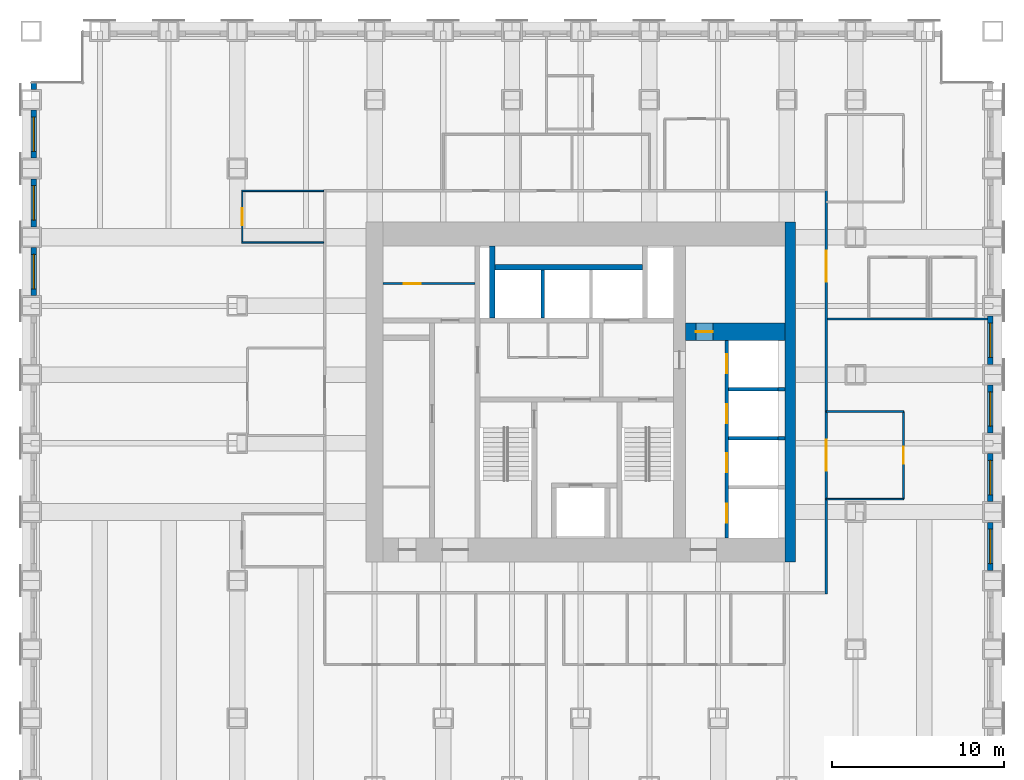
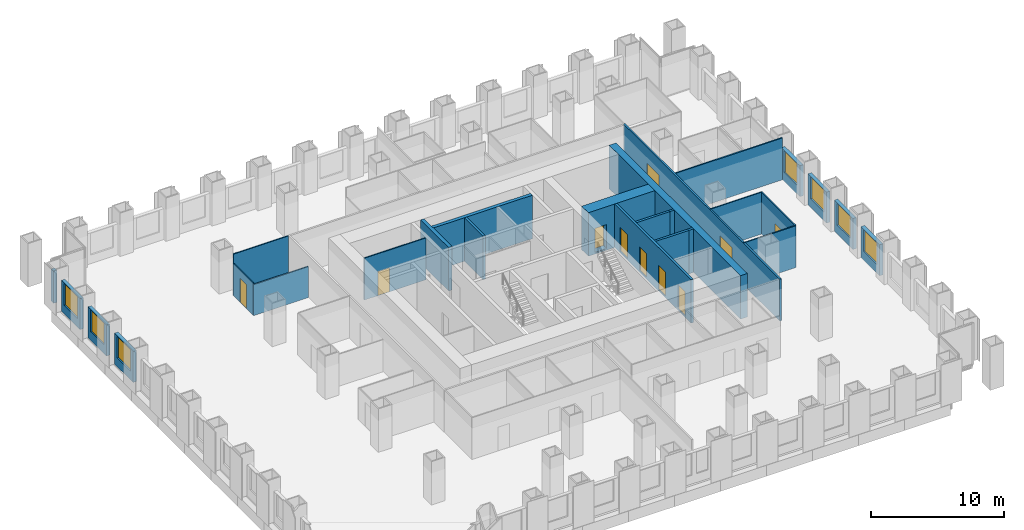
# One storey, part 10 of 14: 27 walls, 10 doors, 7 windows, 17 openings.
"""IFC4 building model written with IfcOpenShell, lengths in metres."""

import ifcopenshell
import ifcopenshell.guid

model = None  # the IFC model being written
_history = None  # IfcOwnerHistory: only IFC2X3 demands one
_inside = {}  # id of a spatial element -> (the spatial element, [elements in it])
_under = {}  # id of a project, library or spatial element -> (it, [spatial elements below it])
_declared = {}  # id of a project -> (the project, [libraries it declares])
_typed = {}  # id of a type object -> (the type object, [elements of that type])
_made_of = {}  # id of a material, layer set ... -> (it, [elements and type objects made of it])


def new_model(schema):
    """Start an empty IFC model of exactly this schema.

    Asked for "IFC4X3", IfcOpenShell would pick the latest addendum, in which some entities
    have other attributes; the version numbers below select the first issue.
    IFC2X3 requires an IfcOwnerHistory on every rooted entity: one is made here for all.
    """
    global model, _history
    if schema == "IFC4X3":
        model = ifcopenshell.file(schema_version=(4, 3, 0, 0))
    else:
        model = ifcopenshell.file(schema=schema)
    _inside.clear()
    _under.clear()
    _declared.clear()
    _typed.clear()
    _made_of.clear()
    _history = None
    if model.schema == "IFC2X3":
        org = make("IfcOrganization", Name="unknown")
        user = make(
            "IfcPersonAndOrganization",
            ThePerson=make("IfcPerson", FamilyName="unknown"),
            TheOrganization=org,
        )
        app = make(
            "IfcApplication",
            ApplicationDeveloper=org,
            Version="unknown",
            ApplicationFullName="unknown",
            ApplicationIdentifier="unknown",
        )
        _history = make(
            "IfcOwnerHistory",
            OwningUser=user,
            OwningApplication=app,
            ChangeAction="ADDED",
            CreationDate=0,
        )
    return model


def make(cls, **values):
    """One entity of the class cls with the attributes given. An attribute that is None is left unset."""
    return model.create_entity(
        cls, **{name: value for name, value in values.items() if value is not None}
    )


def rooted(cls, **values):
    """An entity with a GlobalId (a new one), such as an element, a storey or a relation."""
    return make(cls, GlobalId=ifcopenshell.guid.new(), OwnerHistory=_history, **values)


def si_unit(unit_type, name, prefix=None):
    """IfcSIUnit, for example si_unit("LENGTHUNIT", "METRE", prefix="MILLI")."""
    return make("IfcSIUnit", UnitType=unit_type, Prefix=prefix, Name=name)


def assignment(units):
    """IfcUnitAssignment: the units of a project."""
    return None if units is None else make("IfcUnitAssignment", Units=units)


def point(xyz):
    """IfcCartesianPoint."""
    return None if xyz is None else make("IfcCartesianPoint", Coordinates=xyz)


def direction(xyz):
    """IfcDirection."""
    return None if xyz is None else make("IfcDirection", DirectionRatios=xyz)


def frame(location, z_axis=None, x_axis=None):
    """IfcAxis2Placement3D, a coordinate frame: its origin and axes. An axis left out is left unset."""
    return make(
        "IfcAxis2Placement3D",
        Location=point(location),
        Axis=direction(z_axis),
        RefDirection=direction(x_axis),
    )


def frame_2d(location, x_axis=None):
    """IfcAxis2Placement2D, a coordinate frame in the plane: its origin and x axis."""
    return make(
        "IfcAxis2Placement2D", Location=point(location), RefDirection=direction(x_axis)
    )


def origin():
    """The frame at (0, 0, 0) with its axes left unset."""
    return frame((0.0, 0.0, 0.0))


def place(relative_to, where):
    """IfcLocalPlacement: puts the frame where relative to a parent placement (None: the world)."""
    return make(
        "IfcLocalPlacement", PlacementRelTo=relative_to, RelativePlacement=where
    )


def context(
    kind, dimensions, precision=None, world=None, true_north=None, identifier=None
):
    """IfcGeometricRepresentationContext, for example the 3D "Model" context."""
    return make(
        "IfcGeometricRepresentationContext",
        ContextIdentifier=identifier,
        ContextType=kind,
        CoordinateSpaceDimension=dimensions,
        Precision=precision,
        WorldCoordinateSystem=world,
        TrueNorth=true_north,
    )


def subcontext(parent, identifier, kind, view, scale=None):
    """IfcGeometricRepresentationSubContext, for example "Body" below "Model"."""
    return make(
        "IfcGeometricRepresentationSubContext",
        ContextIdentifier=identifier,
        ContextType=kind,
        ParentContext=parent,
        TargetScale=scale,
        TargetView=view,
    )


def project(units=None, contexts=None):
    """IfcProject with its units and contexts."""
    return rooted(
        "IfcProject",
        Name="project",
        RepresentationContexts=contexts,
        UnitsInContext=assignment(units),
    )


def spatial(cls, under=None, at=None, **own):
    """A site, building, storey or space (cls), placed at a placement, below another one or the project."""
    s = rooted(cls, ObjectPlacement=at, **own)
    if under is not None:
        _under.setdefault(under.id(), (under, []))[1].append(s)
    return s


def profile(cls, at=None, kind="AREA", **sizes):
    """A parametric profile (cls). Its sizes go by their IFC names, for example OverallWidth=200.0."""
    return make(cls, ProfileType=kind, Position=at, **sizes)


def rectangle(**sizes):
    """IfcRectangleProfileDef."""
    return profile("IfcRectangleProfileDef", **sizes)


def extrude(swept, where, along, depth):
    """IfcExtrudedAreaSolid: the profile swept, set in the frame where, extruded along a direction by depth."""
    return make(
        "IfcExtrudedAreaSolid",
        SweptArea=swept,
        Position=where,
        ExtrudedDirection=direction(along),
        Depth=depth,
    )


def shape(context_of_items, identifier, shape_type, items):
    """IfcShapeRepresentation: the items that make up one representation, for example the "Body"."""
    return make(
        "IfcShapeRepresentation",
        ContextOfItems=context_of_items,
        RepresentationIdentifier=identifier,
        RepresentationType=shape_type,
        Items=items,
    )


def material(Name=None, Category=None):
    """IfcMaterial."""
    return make("IfcMaterial", Name=Name, Category=Category)


def layer(
    of_material, thickness, ventilated=None, Name=None, Category=None, Priority=None
):
    """IfcMaterialLayer: one layer of a wall or slab, of a material (None: an air gap)."""
    return make(
        "IfcMaterialLayer",
        Material=of_material,
        LayerThickness=thickness,
        IsVentilated=ventilated,
        Name=Name,
        Category=Category,
        Priority=Priority,
    )


def layer_set(layers, Name=None):
    """IfcMaterialLayerSet."""
    return make("IfcMaterialLayerSet", MaterialLayers=layers, LayerSetName=Name)


def made_of(thing, what):
    """Note that an element or type object is made of a material, layer set ...; save() writes the relation."""
    if what is not None:
        _made_of.setdefault(what.id(), (what, []))[1].append(thing)
    return thing


def type_object(cls, material=None, **own):
    """A type object (cls), such as IfcWallType, which elements share."""
    return made_of(rooted(cls, **own), material)


def element(
    cls,
    number,
    at=None,
    inside=None,
    cuts=None,
    type_object=None,
    material=None,
    context=None,
    identifier="Body",
    shape_type=None,
    held_by="IfcProductDefinitionShape",
    body=None,
    shapes=None,
    **own,
):
    """One element of the class cls, such as IfcWall. Its Tag is "e" and its number.

    at: its placement. inside: the storey or other place that contains it. cuts: it is an
    opening in that element (IfcRelVoidsElement). A single representation is given by context,
    identifier, shape_type and body (its items); several are given by shapes. held_by: the class
    of the entity that holds the representations. save() writes the other relations.
    """
    e = rooted(cls, Tag="e%d" % number, ObjectPlacement=at, **own)
    if body is not None:
        shapes = [shape(context, identifier, shape_type, body)]
    if shapes is not None:
        e.Representation = make(held_by, Representations=shapes)
    if inside is not None:
        _inside.setdefault(inside.id(), (inside, []))[1].append(e)
    if cuts is not None:
        rooted(
            "IfcRelVoidsElement", RelatingBuildingElement=cuts, RelatedOpeningElement=e
        )
    if type_object is not None:
        _typed.setdefault(type_object.id(), (type_object, []))[1].append(e)
    return made_of(e, material)


def fill(opening, filler):
    """IfcRelFillsElement: the door or window that sits in an opening."""
    return rooted(
        "IfcRelFillsElement",
        RelatingOpeningElement=opening,
        RelatedBuildingElement=filler,
    )


def aggregate(whole, parts):
    """IfcRelAggregates: a whole, such as a stair, and the parts it consists of."""
    return rooted("IfcRelAggregates", RelatingObject=whole, RelatedObjects=parts)


def save(model, path):
    """Write the relations noted so far, then the file.

    IfcRelAggregates (storeys below a building ...), IfcRelContainedInSpatialStructure (elements
    in a storey), IfcRelDefinesByType, IfcRelAssociatesMaterial and IfcRelDeclares: one each for
    every whole, place, type object, material and project.
    """
    for whole, parts in _under.values():
        aggregate(whole, parts)
    for where, things in _inside.values():
        rooted(
            "IfcRelContainedInSpatialStructure",
            RelatedElements=things,
            RelatingStructure=where,
        )
    for kind, things in _typed.values():
        rooted("IfcRelDefinesByType", RelatedObjects=things, RelatingType=kind)
    for what, things in _made_of.values():
        rooted("IfcRelAssociatesMaterial", RelatedObjects=things, RelatingMaterial=what)
    for by, libraries in _declared.values():
        rooted("IfcRelDeclares", RelatingContext=by, RelatedDefinitions=libraries)
    model.write(path)


model = new_model("IFC4")

# Units and contexts
model_context = context("Model", 3, precision=1e-05, world=origin(), true_north=direction((0.0, 1.0)))
body_context = subcontext(model_context, "Body", "Model", "MODEL_VIEW")
ifc_project = project(units=[si_unit("LENGTHUNIT", "METRE"), si_unit("AREAUNIT", "SQUARE_METRE"), si_unit("VOLUMEUNIT", "CUBIC_METRE"), si_unit("PLANEANGLEUNIT", "RADIAN"), si_unit("MASSUNIT", "GRAM", prefix="KILO")], contexts=[model_context])

# Site, building, storey
site_placement = place(None, origin())
site = spatial("IfcSite", under=ifc_project, at=site_placement, CompositionType="ELEMENT")
building_placement = place(site_placement, origin())
building = spatial("IfcBuilding", under=site, at=building_placement, Name="Rimbunsela Tower", CompositionType="ELEMENT")
storey_placement = place(building_placement, frame((0.0, 0.0, 55.0)))
storey = spatial("IfcBuildingStorey", under=building, at=storey_placement, Name="L13", CompositionType="ELEMENT", Elevation=55.0)

# Walls
ifc_material_1 = material(Name="Concrete fc' 80 MPa", Category="concrete")
ifc_layer_1 = layer(ifc_material_1, 0.300048828125)
ifc_layer_set_1 = layer_set([ifc_layer_1], Name="Core internal wall 300")
wall_type_1 = type_object("IfcWallType", Name="Core internal wall 300", PredefinedType="SHEAR", material=ifc_layer_set_1)
wall_1_placement = place(storey_placement, frame((24.85009765625, 31.300048828125, -0.14990234375), z_axis=(0.0, 0.0, 1.0), x_axis=(0.0, 1.0, 0.0)))
element("IfcWall", 1, at=wall_1_placement, inside=storey, type_object=wall_type_1, Name="Riser wall", PredefinedType="SHEAR", context=body_context, shape_type="SweptSolid", body=[
    extrude(rectangle(XDim=4.199951171875, YDim=0.300048828125, at=frame_2d((2.10009765625, 0.0))), origin(), (0.0, 0.0, 1.0), 4.0),
])
wall_2_placement = place(storey_placement, frame((25.0, 34.25, -0.14990234375), z_axis=(0.0, 0.0, 1.0), x_axis=(1.0, 0.0, 0.0)))
element("IfcWall", 2, at=wall_2_placement, inside=storey, type_object=wall_type_1, Name="Lift shaft rear north", PredefinedType="SHEAR", context=body_context, shape_type="SweptSolid", body=[
    extrude(rectangle(XDim=8.60009765625, YDim=0.300048828125, at=frame_2d((4.300048828125, 0.0))), origin(), (0.0, 0.0, 1.0), 4.0),
])

# Wall, opening, door
ifc_material_2 = material(Name="Concrete blockwork", Category="masonry")
ifc_layer_2 = layer(ifc_material_2, 0.10009765625)
ifc_layer_set_2 = layer_set([ifc_layer_2], Name="Core room partition 100")
wall_type_2 = type_object("IfcWallType", Name="Core room partition 100", PredefinedType="PARTITIONING", material=ifc_layer_set_2)
wall_3_placement = place(storey_placement, frame((18.5, 33.300048828125, 0.0), z_axis=(0.0, 0.0, 1.0), x_axis=(1.0, 0.0, 0.0)))
wall_3 = element("IfcWall", 3, at=wall_3_placement, inside=storey, type_object=wall_type_2, Name="Equipment store wall", PredefinedType="PARTITIONING", context=body_context, shape_type="SweptSolid", body=[
    extrude(rectangle(XDim=5.35009765625, YDim=0.10009765625, at=frame_2d((2.675048828125, 0.0))), origin(), (0.0, 0.0, 1.0), 3.85009765625),
])
opening_1_placement = place(wall_3_placement, frame((1.199951171875, 0.0, 0.0)))
opening_1 = element("IfcOpeningElement", 4, at=opening_1_placement, cuts=wall_3, Name="Opening D19", PredefinedType="OPENING", context=body_context, shape_type="SweptSolid", body=[
    extrude(rectangle(XDim=1.0, YDim=2.199951171875, at=frame_2d((0.5, 1.10009765625))), frame((0.0, 0.06005859375, 0.0), z_axis=(0.0, -1.0, 0.0), x_axis=(1.0, 0.0, 0.0)), (0.0, 0.0, 1.0), 0.1201171875),
])
ifc_material_3 = material(Name="Steel door, fire rated", Category="steel")
door_type_1 = type_object("IfcDoorType", Name="Service door 1000 fire rated", OperationType="SINGLE_SWING_LEFT", PredefinedType="DOOR", material=ifc_material_3)
door_1_placement = place(opening_1_placement, origin())
door_1 = element("IfcDoor", 5, at=door_1_placement, inside=storey, type_object=door_type_1, Name="Equipment store door", OperationType="SINGLE_SWING_LEFT", OverallHeight=2.199951171875, OverallWidth=1.0, PredefinedType="DOOR", context=body_context, shape_type="SweptSolid", body=[
    extrude(rectangle(XDim=1.0, YDim=2.199951171875, at=frame_2d((0.5, 1.10009765625))), frame((0.0, 0.02490234375, 0.0), z_axis=(0.0, -1.0, 0.0), x_axis=(1.0, 0.0, 0.0)), (0.0, 0.0, 1.0), 0.050048828125),
])
fill(opening_1, door_1)

ifc_material_4 = material(Name="Concrete fc' 80 MPa", Category="concrete")
ifc_layer_3 = layer(ifc_material_4, 1.0)
ifc_layer_set_3 = layer_set([ifc_layer_3], Name="Core wall 1000")
wall_type_3 = type_object("IfcWallType", Name="Core wall 1000", PredefinedType="SHEAR", material=ifc_layer_set_3)
wall_4_placement = place(storey_placement, frame((36.10009765625, 30.5, -0.14990234375), z_axis=(0.0, 0.0, 1.0), x_axis=(1.0, 0.0, 0.0)))
wall_4 = element("IfcWall", 6, at=wall_4_placement, inside=storey, type_object=wall_type_3, Name="Lift shaft rear east", PredefinedType="SHEAR", context=body_context, shape_type="SweptSolid", body=[
    extrude(rectangle(XDim=5.7998046875, YDim=1.0, at=frame_2d((2.89990234375, 0.0))), origin(), (0.0, 0.0, 1.0), 4.0),
])
opening_2_placement = place(wall_4_placement, frame((0.60009765625, 0.0, 0.14990234375)))
opening_2 = element("IfcOpeningElement", 7, at=opening_2_placement, cuts=wall_4, Name="Opening D19", PredefinedType="OPENING", context=body_context, shape_type="SweptSolid", body=[
    extrude(rectangle(XDim=1.0, YDim=2.199951171875, at=frame_2d((0.5, 1.10009765625))), frame((0.0, 0.510009765625, 0.0), z_axis=(0.0, -1.0, 0.0), x_axis=(1.0, 0.0, 0.0)), (0.0, 0.0, 1.0), 1.02001953125),
])
door_2_placement = place(opening_2_placement, origin())
door_2 = element("IfcDoor", 8, at=door_2_placement, inside=storey, type_object=door_type_1, Name="Communications room door", OperationType="SINGLE_SWING_LEFT", OverallHeight=2.199951171875, OverallWidth=1.0, PredefinedType="DOOR", context=body_context, shape_type="SweptSolid", body=[
    extrude(rectangle(XDim=1.0, YDim=2.199951171875, at=frame_2d((0.5, 1.10009765625))), frame((0.0, 0.02490234375, 0.0), z_axis=(0.0, -1.0, 0.0), x_axis=(1.0, 0.0, 0.0)), (0.0, 0.0, 1.0), 0.050048828125),
])
fill(opening_2, door_2)

# Walls
ifc_material_5 = material(Name="Concrete fc' 80 MPa", Category="concrete")
ifc_layer_4 = layer(ifc_material_5, 0.60009765625)
ifc_layer_set_4 = layer_set([ifc_layer_4], Name="Core wall 600")
wall_type_4 = type_object("IfcWallType", Name="Core wall 600", PredefinedType="SHEAR", material=ifc_layer_set_4)
wall_5_placement = place(storey_placement, frame((42.199951171875, 17.10009765625, -0.14990234375), z_axis=(0.0, 0.0, 1.0), x_axis=(0.0, 1.0, 0.0)))
element("IfcWall", 9, at=wall_5_placement, inside=storey, type_object=wall_type_4, Name="Core wall east", PredefinedType="SHEAR", context=body_context, shape_type="SweptSolid", body=[
    extrude(rectangle(XDim=19.7998046875, YDim=0.60009765625, at=frame_2d((9.89990234375, 0.0))), origin(), (0.0, 0.0, 1.0), 4.0),
])
ifc_material_6 = material(Name="Concrete blockwork", Category="masonry")
ifc_layer_5 = layer(ifc_material_6, 0.199951171875)
ifc_layer_set_5 = layer_set([ifc_layer_5], Name="Lift shaft wall 200")
wall_type_5 = type_object("IfcWallType", Name="Lift shaft wall 200", PredefinedType="SOLIDWALL", material=ifc_layer_set_5)
wall_6_placement = place(storey_placement, frame((27.800048828125, 31.300048828125, -0.14990234375), z_axis=(0.0, 0.0, 1.0), x_axis=(0.0, 1.0, 0.0)))
element("IfcWall", 10, at=wall_6_placement, inside=storey, type_object=wall_type_5, Name="Lift shaft separation", PredefinedType="SOLIDWALL", context=body_context, shape_type="SweptSolid", body=[
    extrude(rectangle(XDim=2.800048828125, YDim=0.199951171875, at=frame_2d((1.39990234375, 0.0))), origin(), (0.0, 0.0, 1.0), 4.0),
])

# Wall, openings, doors
wall_7_placement = place(storey_placement, frame((38.5, 18.5, -0.14990234375), z_axis=(0.0, 0.0, 1.0), x_axis=(0.0, 1.0, 0.0)))
wall_7 = element("IfcWall", 11, at=wall_7_placement, inside=storey, type_object=wall_type_5, Name="Lift shaft front east", PredefinedType="SOLIDWALL", context=body_context, shape_type="SweptSolid", body=[
    extrude(rectangle(XDim=11.5, YDim=0.199951171875, at=frame_2d((5.75, 0.0))), origin(), (0.0, 0.0, 1.0), 4.0),
])
opening_3_placement = place(wall_7_placement, frame((0.875, 0.0, 0.14990234375)))
opening_3 = element("IfcOpeningElement", 12, at=opening_3_placement, cuts=wall_7, Name="Opening LD1", PredefinedType="OPENING", context=body_context, shape_type="SweptSolid", body=[
    extrude(rectangle(XDim=1.10009765625, YDim=2.199951171875, at=frame_2d((0.550048828125, 1.10009765625))), frame((0.0, 0.10986328125, 0.0), z_axis=(0.0, -1.0, 0.0), x_axis=(1.0, 0.0, 0.0)), (0.0, 0.0, 1.0), 0.219970703125),
])
opening_4_placement = place(wall_7_placement, frame((3.824951171875, 0.0, 0.14990234375)))
opening_4 = element("IfcOpeningElement", 13, at=opening_4_placement, cuts=wall_7, Name="Opening LD1", PredefinedType="OPENING", context=body_context, shape_type="SweptSolid", body=[
    extrude(rectangle(XDim=1.10009765625, YDim=2.199951171875, at=frame_2d((0.550048828125, 1.10009765625))), frame((0.0, 0.10986328125, 0.0), z_axis=(0.0, -1.0, 0.0), x_axis=(1.0, 0.0, 0.0)), (0.0, 0.0, 1.0), 0.219970703125),
])
opening_5_placement = place(wall_7_placement, frame((6.675048828125, 0.0, 0.14990234375)))
opening_5 = element("IfcOpeningElement", 14, at=opening_5_placement, cuts=wall_7, Name="Opening LD1", PredefinedType="OPENING", context=body_context, shape_type="SweptSolid", body=[
    extrude(rectangle(XDim=1.10009765625, YDim=2.199951171875, at=frame_2d((0.550048828125, 1.10009765625))), frame((0.0, 0.10986328125, 0.0), z_axis=(0.0, -1.0, 0.0), x_axis=(1.0, 0.0, 0.0)), (0.0, 0.0, 1.0), 0.219970703125),
])
opening_6_placement = place(wall_7_placement, frame((9.574951171875, 0.0, 0.14990234375)))
opening_6 = element("IfcOpeningElement", 15, at=opening_6_placement, cuts=wall_7, Name="Opening LD1", PredefinedType="OPENING", context=body_context, shape_type="SweptSolid", body=[
    extrude(rectangle(XDim=1.10009765625, YDim=2.199951171875, at=frame_2d((0.550048828125, 1.10009765625))), frame((0.0, 0.10986328125, 0.0), z_axis=(0.0, -1.0, 0.0), x_axis=(1.0, 0.0, 0.0)), (0.0, 0.0, 1.0), 0.219970703125),
])
ifc_material_7 = material(Name="Steel door, fire rated", Category="steel")
door_type_2 = type_object("IfcDoorType", Name="Lift landing door 1100", OperationType="DOUBLE_DOOR_SLIDING", PredefinedType="DOOR", material=ifc_material_7)
door_3_placement = place(opening_3_placement, origin())
door_3 = element("IfcDoor", 16, at=door_3_placement, inside=storey, type_object=door_type_2, Name="Lift landing door LL1", OperationType="DOUBLE_DOOR_SLIDING", OverallHeight=2.199951171875, OverallWidth=1.10009765625, PredefinedType="DOOR", context=body_context, shape_type="SweptSolid", body=[
    extrude(rectangle(XDim=1.10009765625, YDim=2.199951171875, at=frame_2d((0.550048828125, 1.10009765625))), frame((0.0, 0.02490234375, 0.0), z_axis=(0.0, -1.0, 0.0), x_axis=(1.0, 0.0, 0.0)), (0.0, 0.0, 1.0), 0.050048828125),
])
fill(opening_3, door_3)
door_4_placement = place(opening_4_placement, origin())
door_4 = element("IfcDoor", 17, at=door_4_placement, inside=storey, type_object=door_type_2, Name="Lift landing door LL2", OperationType="DOUBLE_DOOR_SLIDING", OverallHeight=2.199951171875, OverallWidth=1.10009765625, PredefinedType="DOOR", context=body_context, shape_type="SweptSolid", body=[
    extrude(rectangle(XDim=1.10009765625, YDim=2.199951171875, at=frame_2d((0.550048828125, 1.10009765625))), frame((0.0, 0.02490234375, 0.0), z_axis=(0.0, -1.0, 0.0), x_axis=(1.0, 0.0, 0.0)), (0.0, 0.0, 1.0), 0.050048828125),
])
fill(opening_4, door_4)
door_5_placement = place(opening_5_placement, origin())
door_5 = element("IfcDoor", 18, at=door_5_placement, inside=storey, type_object=door_type_2, Name="Lift landing door LL3", OperationType="DOUBLE_DOOR_SLIDING", OverallHeight=2.199951171875, OverallWidth=1.10009765625, PredefinedType="DOOR", context=body_context, shape_type="SweptSolid", body=[
    extrude(rectangle(XDim=1.10009765625, YDim=2.199951171875, at=frame_2d((0.550048828125, 1.10009765625))), frame((0.0, 0.02490234375, 0.0), z_axis=(0.0, -1.0, 0.0), x_axis=(1.0, 0.0, 0.0)), (0.0, 0.0, 1.0), 0.050048828125),
])
fill(opening_5, door_5)
door_6_placement = place(opening_6_placement, origin())
door_6 = element("IfcDoor", 19, at=door_6_placement, inside=storey, type_object=door_type_2, Name="Lift landing door LL4", OperationType="DOUBLE_DOOR_SLIDING", OverallHeight=2.199951171875, OverallWidth=1.10009765625, PredefinedType="DOOR", context=body_context, shape_type="SweptSolid", body=[
    extrude(rectangle(XDim=1.10009765625, YDim=2.199951171875, at=frame_2d((0.550048828125, 1.10009765625))), frame((0.0, 0.02490234375, 0.0), z_axis=(0.0, -1.0, 0.0), x_axis=(1.0, 0.0, 0.0)), (0.0, 0.0, 1.0), 0.050048828125),
])
fill(opening_6, door_6)

# Walls
wall_8_placement = place(storey_placement, frame((38.60009765625, 24.300048828125, -0.14990234375), z_axis=(0.0, 0.0, 1.0), x_axis=(1.0, 0.0, 0.0)))
element("IfcWall", 20, at=wall_8_placement, inside=storey, type_object=wall_type_5, Name="Lift shaft separation", PredefinedType="SOLIDWALL", context=body_context, shape_type="SweptSolid", body=[
    extrude(rectangle(XDim=2.89990234375, YDim=0.199951171875, at=frame_2d((1.449951171875, 0.0))), origin(), (0.0, 0.0, 1.0), 4.0),
])
wall_9_placement = place(storey_placement, frame((41.5, 24.300048828125, -0.14990234375), z_axis=(0.0, 0.0, 1.0), x_axis=(1.0, 0.0, 0.0)))
element("IfcWall", 21, at=wall_9_placement, inside=storey, type_object=wall_type_5, Name="Lift shaft separation", PredefinedType="SOLIDWALL", context=body_context, shape_type="SweptSolid", body=[
    extrude(rectangle(XDim=0.39990234375, YDim=0.199951171875, at=frame_2d((0.199951171875, 0.0))), origin(), (0.0, 0.0, 1.0), 4.0),
])
wall_10_placement = place(storey_placement, frame((38.60009765625, 27.14990234375, -0.14990234375), z_axis=(0.0, 0.0, 1.0), x_axis=(1.0, 0.0, 0.0)))
element("IfcWall", 22, at=wall_10_placement, inside=storey, type_object=wall_type_5, Name="Lift shaft separation", PredefinedType="SOLIDWALL", context=body_context, shape_type="SweptSolid", body=[
    extrude(rectangle(XDim=2.89990234375, YDim=0.199951171875, at=frame_2d((1.449951171875, 0.0))), origin(), (0.0, 0.0, 1.0), 4.0),
])
wall_11_placement = place(storey_placement, frame((41.5, 27.14990234375, -0.14990234375), z_axis=(0.0, 0.0, 1.0), x_axis=(1.0, 0.0, 0.0)))
element("IfcWall", 23, at=wall_11_placement, inside=storey, type_object=wall_type_5, Name="Lift shaft separation", PredefinedType="SOLIDWALL", context=body_context, shape_type="SweptSolid", body=[
    extrude(rectangle(XDim=0.39990234375, YDim=0.199951171875, at=frame_2d((0.199951171875, 0.0))), origin(), (0.0, 0.0, 1.0), 4.0),
])
ifc_material_8 = material(Name="Gypsum board on steel studs", Category="steel")
ifc_layer_6 = layer(ifc_material_8, 0.10009765625)
ifc_layer_set_6 = layer_set([ifc_layer_6], Name="Office partition 100")
wall_type_6 = type_object("IfcWallType", Name="Office partition 100", PredefinedType="PARTITIONING", material=ifc_layer_set_6)
wall_12_placement = place(storey_placement, frame((10.25, 35.699951171875, 0.0), z_axis=(0.0, 0.0, 1.0), x_axis=(1.0, 0.0, 0.0)))
element("IfcWall", 24, at=wall_12_placement, inside=storey, type_object=wall_type_6, Name="Office partition", PredefinedType="PARTITIONING", context=body_context, shape_type="SweptSolid", body=[
    extrude(rectangle(XDim=4.77490234375, YDim=0.10009765625, at=frame_2d((2.387451171875, 0.0))), origin(), (0.0, 0.0, 1.0), 2.85009765625),
])
wall_13_placement = place(storey_placement, frame((10.25, 38.699951171875, 0.0), z_axis=(0.0, 0.0, 1.0), x_axis=(1.0, 0.0, 0.0)))
element("IfcWall", 25, at=wall_13_placement, inside=storey, type_object=wall_type_6, Name="Office partition", PredefinedType="PARTITIONING", context=body_context, shape_type="SweptSolid", body=[
    extrude(rectangle(XDim=4.77490234375, YDim=0.10009765625, at=frame_2d((2.387451171875, 0.0))), origin(), (0.0, 0.0, 1.0), 3.85009765625),
])

# Wall, opening, door
wall_14_placement = place(storey_placement, frame((10.300048828125, 35.75, 0.0), z_axis=(0.0, 0.0, 1.0), x_axis=(0.0, 1.0, 0.0)))
wall_14 = element("IfcWall", 26, at=wall_14_placement, inside=storey, type_object=wall_type_6, Name="Office partition", PredefinedType="PARTITIONING", context=body_context, shape_type="SweptSolid", body=[
    extrude(rectangle(XDim=2.89990234375, YDim=0.10009765625, at=frame_2d((1.449951171875, 0.0))), origin(), (0.0, 0.0, 1.0), 2.949951171875),
])
opening_7_placement = place(wall_14_placement, frame((0.949951171875, 0.0, 0.0)))
opening_7 = element("IfcOpeningElement", 27, at=opening_7_placement, cuts=wall_14, Name="Opening D16", PredefinedType="OPENING", context=body_context, shape_type="SweptSolid", body=[
    extrude(rectangle(XDim=1.0, YDim=2.199951171875, at=frame_2d((0.5, 1.10009765625))), frame((0.0, 0.06005859375, 0.0), z_axis=(0.0, -1.0, 0.0), x_axis=(1.0, 0.0, 0.0)), (0.0, 0.0, 1.0), 0.1201171875),
])
ifc_material_9 = material(Name="Timber door", Category="wood")
door_type_3 = type_object("IfcDoorType", Name="Office door 1000", OperationType="SINGLE_SWING_LEFT", PredefinedType="DOOR", material=ifc_material_9)
door_7_placement = place(opening_7_placement, origin())
door_7 = element("IfcDoor", 28, at=door_7_placement, inside=storey, type_object=door_type_3, Name="Office door", OperationType="SINGLE_SWING_LEFT", OverallHeight=2.199951171875, OverallWidth=1.0, PredefinedType="DOOR", context=body_context, shape_type="SweptSolid", body=[
    extrude(rectangle(XDim=1.0, YDim=2.199951171875, at=frame_2d((0.5, 1.10009765625))), frame((0.0, 0.02490234375, 0.0), z_axis=(0.0, -1.0, 0.0), x_axis=(1.0, 0.0, 0.0)), (0.0, 0.0, 1.0), 0.050048828125),
])
fill(opening_7, door_7)

# Wall
wall_15_placement = place(storey_placement, frame((44.300048828125, 20.75, 0.0), z_axis=(0.0, 0.0, 1.0), x_axis=(1.0, 0.0, 0.0)))
element("IfcWall", 29, at=wall_15_placement, inside=storey, type_object=wall_type_6, Name="Office partition", PredefinedType="PARTITIONING", context=body_context, shape_type="SweptSolid", body=[
    extrude(rectangle(XDim=4.5, YDim=0.10009765625, at=frame_2d((2.25, 0.0))), origin(), (0.0, 0.0, 1.0), 3.85009765625),
])

# Wall, opening, door
wall_16_placement = place(storey_placement, frame((48.800048828125, 20.75, 0.0), z_axis=(0.0, 0.0, 1.0), x_axis=(0.0, 1.0, 0.0)))
wall_16 = element("IfcWall", 30, at=wall_16_placement, inside=storey, type_object=wall_type_6, Name="Office partition", PredefinedType="PARTITIONING", context=body_context, shape_type="SweptSolid", body=[
    extrude(rectangle(XDim=5.10009765625, YDim=0.10009765625, at=frame_2d((2.550048828125, 0.0))), origin(), (0.0, 0.0, 1.0), 3.85009765625),
])
opening_8_placement = place(wall_16_placement, frame((2.050048828125, 0.0, 0.0)))
opening_8 = element("IfcOpeningElement", 31, at=opening_8_placement, cuts=wall_16, Name="Opening D17", PredefinedType="OPENING", context=body_context, shape_type="SweptSolid", body=[
    extrude(rectangle(XDim=1.0, YDim=2.199951171875, at=frame_2d((0.5, 1.10009765625))), frame((0.0, 0.06005859375, 0.0), z_axis=(0.0, -1.0, 0.0), x_axis=(1.0, 0.0, 0.0)), (0.0, 0.0, 1.0), 0.1201171875),
])
ifc_material_10 = material(Name="Glazed aluminium door", Category="aluminium")
door_type_4 = type_object("IfcDoorType", Name="Meeting room door 1000 glazed", OperationType="SINGLE_SWING_RIGHT", PredefinedType="DOOR", material=ifc_material_10)
door_8_placement = place(opening_8_placement, origin())
door_8 = element("IfcDoor", 32, at=door_8_placement, inside=storey, type_object=door_type_4, Name="Reception door", OperationType="SINGLE_SWING_RIGHT", OverallHeight=2.199951171875, OverallWidth=1.0, PredefinedType="DOOR", context=body_context, shape_type="SweptSolid", body=[
    extrude(rectangle(XDim=1.0, YDim=2.199951171875, at=frame_2d((0.5, 1.10009765625))), frame((0.0, 0.02490234375, 0.0), z_axis=(0.0, -1.0, 0.0), x_axis=(1.0, 0.0, 0.0)), (0.0, 0.0, 1.0), 0.050048828125),
])
fill(opening_8, door_8)

# Wall
wall_17_placement = place(storey_placement, frame((48.800048828125, 25.85009765625, 0.0), z_axis=(0.0, 0.0, 1.0), x_axis=(-1.0, 0.0, 0.0)))
element("IfcWall", 33, at=wall_17_placement, inside=storey, type_object=wall_type_6, Name="Office partition", PredefinedType="PARTITIONING", context=body_context, shape_type="SweptSolid", body=[
    extrude(rectangle(XDim=4.5, YDim=0.10009765625, at=frame_2d((2.25, 0.0))), origin(), (0.0, 0.0, 1.0), 3.85009765625),
])

# Wall, opening, window
ifc_material_11 = material(Name="Precast concrete fc' 35 MPa", Category="concrete")
ifc_layer_7 = layer(ifc_material_11, 0.300048828125)
ifc_layer_set_7 = layer_set([ifc_layer_7], Name="Precast concrete fc' 35 MPa")
wall_type_7 = type_object("IfcWallType", Name="Precast facade panel 300", PredefinedType="ELEMENTEDWALL", material=ifc_layer_set_7)
wall_18_placement = place(storey_placement, frame((53.85009765625, 16.60009765625, 0.0), z_axis=(0.0, 0.0, 1.0), x_axis=(0.0, 1.0, 0.0)))
wall_18 = element("IfcWall", 34, at=wall_18_placement, inside=storey, type_object=wall_type_7, Name="Facade panel E L13", PredefinedType="ELEMENTEDWALL", context=body_context, shape_type="SweptSolid", body=[
    extrude(rectangle(XDim=2.7998046875, YDim=0.300048828125, at=frame_2d((1.39990234375, 0.0))), origin(), (0.0, 0.0, 1.0), 2.85009765625),
])
opening_9_placement = place(wall_18_placement, frame((0.39990234375, 0.0, 0.800048828125)))
opening_9 = element("IfcOpeningElement", 35, at=opening_9_placement, cuts=wall_18, Name="Opening W1", PredefinedType="OPENING", context=body_context, shape_type="SweptSolid", body=[
    extrude(rectangle(XDim=2.0, YDim=2.0, at=frame_2d((1.0, 1.0))), frame((0.0, 0.159912109375, 0.0), z_axis=(0.0, -1.0, 0.0), x_axis=(1.0, 0.0, 0.0)), (0.0, 0.0, 1.0), 0.320068359375),
])
ifc_material_12 = material(Name="Clear glass in aluminium frame", Category="aluminium")
window_type = type_object("IfcWindowType", Name="Window W1 2000x2000", PartitioningType="DOUBLE_PANEL_VERTICAL", PredefinedType="WINDOW", material=ifc_material_12)
window_1_placement = place(opening_9_placement, origin())
window_1 = element("IfcWindow", 36, at=window_1_placement, inside=storey, type_object=window_type, Name="Window L13", OverallHeight=2.0, OverallWidth=2.0, PartitioningType="SINGLE_PANEL", PredefinedType="WINDOW", context=body_context, shape_type="SweptSolid", body=[
    extrude(rectangle(XDim=2.0, YDim=2.0, at=frame_2d((1.0, 1.0))), frame((0.0, 0.030029296875, 0.0), z_axis=(0.0, -1.0, 0.0), x_axis=(1.0, 0.0, 0.0)), (0.0, 0.0, 1.0), 0.06005859375),
])
fill(opening_9, window_1)

wall_19_placement = place(storey_placement, frame((53.85009765625, 20.60009765625, 0.0), z_axis=(0.0, 0.0, 1.0), x_axis=(0.0, 1.0, 0.0)))
wall_19 = element("IfcWall", 37, at=wall_19_placement, inside=storey, type_object=wall_type_7, Name="Facade panel E L13", PredefinedType="ELEMENTEDWALL", context=body_context, shape_type="SweptSolid", body=[
    extrude(rectangle(XDim=2.7998046875, YDim=0.300048828125, at=frame_2d((1.39990234375, 0.0))), origin(), (0.0, 0.0, 1.0), 2.85009765625),
])
opening_10_placement = place(wall_19_placement, frame((0.39990234375, 0.0, 0.800048828125)))
opening_10 = element("IfcOpeningElement", 38, at=opening_10_placement, cuts=wall_19, Name="Opening W1", PredefinedType="OPENING", context=body_context, shape_type="SweptSolid", body=[
    extrude(rectangle(XDim=2.0, YDim=2.0, at=frame_2d((1.0, 1.0))), frame((0.0, 0.159912109375, 0.0), z_axis=(0.0, -1.0, 0.0), x_axis=(1.0, 0.0, 0.0)), (0.0, 0.0, 1.0), 0.320068359375),
])
window_2_placement = place(opening_10_placement, origin())
window_2 = element("IfcWindow", 39, at=window_2_placement, inside=storey, type_object=window_type, Name="Window L13", OverallHeight=2.0, OverallWidth=2.0, PartitioningType="SINGLE_PANEL", PredefinedType="WINDOW", context=body_context, shape_type="SweptSolid", body=[
    extrude(rectangle(XDim=2.0, YDim=2.0, at=frame_2d((1.0, 1.0))), frame((0.0, 0.030029296875, 0.0), z_axis=(0.0, -1.0, 0.0), x_axis=(1.0, 0.0, 0.0)), (0.0, 0.0, 1.0), 0.06005859375),
])
fill(opening_10, window_2)

wall_20_placement = place(storey_placement, frame((53.85009765625, 24.60009765625, 0.0), z_axis=(0.0, 0.0, 1.0), x_axis=(0.0, 1.0, 0.0)))
wall_20 = element("IfcWall", 40, at=wall_20_placement, inside=storey, type_object=wall_type_7, Name="Facade panel E L13", PredefinedType="ELEMENTEDWALL", context=body_context, shape_type="SweptSolid", body=[
    extrude(rectangle(XDim=2.7998046875, YDim=0.300048828125, at=frame_2d((1.39990234375, 0.0))), origin(), (0.0, 0.0, 1.0), 2.85009765625),
])
opening_11_placement = place(wall_20_placement, frame((0.39990234375, 0.0, 0.800048828125)))
opening_11 = element("IfcOpeningElement", 41, at=opening_11_placement, cuts=wall_20, Name="Opening W1", PredefinedType="OPENING", context=body_context, shape_type="SweptSolid", body=[
    extrude(rectangle(XDim=2.0, YDim=2.0, at=frame_2d((1.0, 1.0))), frame((0.0, 0.159912109375, 0.0), z_axis=(0.0, -1.0, 0.0), x_axis=(1.0, 0.0, 0.0)), (0.0, 0.0, 1.0), 0.320068359375),
])
window_3_placement = place(opening_11_placement, origin())
window_3 = element("IfcWindow", 42, at=window_3_placement, inside=storey, type_object=window_type, Name="Window L13", OverallHeight=2.0, OverallWidth=2.0, PartitioningType="SINGLE_PANEL", PredefinedType="WINDOW", context=body_context, shape_type="SweptSolid", body=[
    extrude(rectangle(XDim=2.0, YDim=2.0, at=frame_2d((1.0, 1.0))), frame((0.0, 0.030029296875, 0.0), z_axis=(0.0, -1.0, 0.0), x_axis=(1.0, 0.0, 0.0)), (0.0, 0.0, 1.0), 0.06005859375),
])
fill(opening_11, window_3)

wall_21_placement = place(storey_placement, frame((53.85009765625, 28.60009765625, 0.0), z_axis=(0.0, 0.0, 1.0), x_axis=(0.0, 1.0, 0.0)))
wall_21 = element("IfcWall", 43, at=wall_21_placement, inside=storey, type_object=wall_type_7, Name="Facade panel E L13", PredefinedType="ELEMENTEDWALL", context=body_context, shape_type="SweptSolid", body=[
    extrude(rectangle(XDim=2.7998046875, YDim=0.300048828125, at=frame_2d((1.39990234375, 0.0))), origin(), (0.0, 0.0, 1.0), 2.85009765625),
])
opening_12_placement = place(wall_21_placement, frame((0.39990234375, 0.0, 0.800048828125)))
opening_12 = element("IfcOpeningElement", 44, at=opening_12_placement, cuts=wall_21, Name="Opening W1", PredefinedType="OPENING", context=body_context, shape_type="SweptSolid", body=[
    extrude(rectangle(XDim=2.0, YDim=2.0, at=frame_2d((1.0, 1.0))), frame((0.0, 0.159912109375, 0.0), z_axis=(0.0, -1.0, 0.0), x_axis=(1.0, 0.0, 0.0)), (0.0, 0.0, 1.0), 0.320068359375),
])
window_4_placement = place(opening_12_placement, origin())
window_4 = element("IfcWindow", 45, at=window_4_placement, inside=storey, type_object=window_type, Name="Window L13", OverallHeight=2.0, OverallWidth=2.0, PartitioningType="SINGLE_PANEL", PredefinedType="WINDOW", context=body_context, shape_type="SweptSolid", body=[
    extrude(rectangle(XDim=2.0, YDim=2.0, at=frame_2d((1.0, 1.0))), frame((0.0, 0.030029296875, 0.0), z_axis=(0.0, -1.0, 0.0), x_axis=(1.0, 0.0, 0.0)), (0.0, 0.0, 1.0), 0.06005859375),
])
fill(opening_12, window_4)

wall_22_placement = place(storey_placement, frame((-1.85009765625, 35.39990234375, 0.0), z_axis=(0.0, 0.0, 1.0), x_axis=(0.0, -1.0, 0.0)))
wall_22 = element("IfcWall", 46, at=wall_22_placement, inside=storey, type_object=wall_type_7, Name="Facade panel W L13", PredefinedType="ELEMENTEDWALL", context=body_context, shape_type="SweptSolid", body=[
    extrude(rectangle(XDim=2.7998046875, YDim=0.300048828125, at=frame_2d((1.39990234375, 0.0))), origin(), (0.0, 0.0, 1.0), 2.85009765625),
])
opening_13_placement = place(wall_22_placement, frame((0.39990234375, 0.0, 0.800048828125)))
opening_13 = element("IfcOpeningElement", 47, at=opening_13_placement, cuts=wall_22, Name="Opening W1", PredefinedType="OPENING", context=body_context, shape_type="SweptSolid", body=[
    extrude(rectangle(XDim=2.0, YDim=2.0, at=frame_2d((1.0, 1.0))), frame((0.0, 0.159912109375, 0.0), z_axis=(0.0, -1.0, 0.0), x_axis=(1.0, 0.0, 0.0)), (0.0, 0.0, 1.0), 0.320068359375),
])
window_5_placement = place(opening_13_placement, origin())
window_5 = element("IfcWindow", 48, at=window_5_placement, inside=storey, type_object=window_type, Name="Window L13", OverallHeight=2.0, OverallWidth=2.0, PartitioningType="SINGLE_PANEL", PredefinedType="WINDOW", context=body_context, shape_type="SweptSolid", body=[
    extrude(rectangle(XDim=2.0, YDim=2.0, at=frame_2d((1.0, 1.0))), frame((0.0, 0.030029296875, 0.0), z_axis=(0.0, -1.0, 0.0), x_axis=(1.0, 0.0, 0.0)), (0.0, 0.0, 1.0), 0.06005859375),
])
fill(opening_13, window_5)

wall_23_placement = place(storey_placement, frame((-1.85009765625, 39.39990234375, 0.0), z_axis=(0.0, 0.0, 1.0), x_axis=(0.0, -1.0, 0.0)))
wall_23 = element("IfcWall", 49, at=wall_23_placement, inside=storey, type_object=wall_type_7, Name="Facade panel W L13", PredefinedType="ELEMENTEDWALL", context=body_context, shape_type="SweptSolid", body=[
    extrude(rectangle(XDim=2.7998046875, YDim=0.300048828125, at=frame_2d((1.39990234375, 0.0))), origin(), (0.0, 0.0, 1.0), 2.85009765625),
])
opening_14_placement = place(wall_23_placement, frame((0.39990234375, 0.0, 0.800048828125)))
opening_14 = element("IfcOpeningElement", 50, at=opening_14_placement, cuts=wall_23, Name="Opening W1", PredefinedType="OPENING", context=body_context, shape_type="SweptSolid", body=[
    extrude(rectangle(XDim=2.0, YDim=2.0, at=frame_2d((1.0, 1.0))), frame((0.0, 0.159912109375, 0.0), z_axis=(0.0, -1.0, 0.0), x_axis=(1.0, 0.0, 0.0)), (0.0, 0.0, 1.0), 0.320068359375),
])
window_6_placement = place(opening_14_placement, origin())
window_6 = element("IfcWindow", 51, at=window_6_placement, inside=storey, type_object=window_type, Name="Window L13", OverallHeight=2.0, OverallWidth=2.0, PartitioningType="SINGLE_PANEL", PredefinedType="WINDOW", context=body_context, shape_type="SweptSolid", body=[
    extrude(rectangle(XDim=2.0, YDim=2.0, at=frame_2d((1.0, 1.0))), frame((0.0, 0.030029296875, 0.0), z_axis=(0.0, -1.0, 0.0), x_axis=(1.0, 0.0, 0.0)), (0.0, 0.0, 1.0), 0.06005859375),
])
fill(opening_14, window_6)

wall_24_placement = place(storey_placement, frame((-1.85009765625, 43.39990234375, 0.0), z_axis=(0.0, 0.0, 1.0), x_axis=(0.0, -1.0, 0.0)))
wall_24 = element("IfcWall", 52, at=wall_24_placement, inside=storey, type_object=wall_type_7, Name="Facade panel W L13", PredefinedType="ELEMENTEDWALL", context=body_context, shape_type="SweptSolid", body=[
    extrude(rectangle(XDim=2.7998046875, YDim=0.300048828125, at=frame_2d((1.39990234375, 0.0))), origin(), (0.0, 0.0, 1.0), 2.85009765625),
])
opening_15_placement = place(wall_24_placement, frame((0.39990234375, 0.0, 0.800048828125)))
opening_15 = element("IfcOpeningElement", 53, at=opening_15_placement, cuts=wall_24, Name="Opening W1", PredefinedType="OPENING", context=body_context, shape_type="SweptSolid", body=[
    extrude(rectangle(XDim=2.0, YDim=2.0, at=frame_2d((1.0, 1.0))), frame((0.0, 0.159912109375, 0.0), z_axis=(0.0, -1.0, 0.0), x_axis=(1.0, 0.0, 0.0)), (0.0, 0.0, 1.0), 0.320068359375),
])
window_7_placement = place(opening_15_placement, origin())
window_7 = element("IfcWindow", 54, at=window_7_placement, inside=storey, type_object=window_type, Name="Window L13", OverallHeight=2.0, OverallWidth=2.0, PartitioningType="SINGLE_PANEL", PredefinedType="WINDOW", context=body_context, shape_type="SweptSolid", body=[
    extrude(rectangle(XDim=2.0, YDim=2.0, at=frame_2d((1.0, 1.0))), frame((0.0, 0.030029296875, 0.0), z_axis=(0.0, -1.0, 0.0), x_axis=(1.0, 0.0, 0.0)), (0.0, 0.0, 1.0), 0.06005859375),
])
fill(opening_15, window_7)

# Wall
wall_25_placement = place(storey_placement, frame((-1.85009765625, 44.969970703125, 0.0), z_axis=(0.0, 0.0, 1.0), x_axis=(0.0, -1.0, 0.0)))
element("IfcWall", 55, at=wall_25_placement, inside=storey, type_object=wall_type_7, Name="Facade panel W L13", PredefinedType="ELEMENTEDWALL", context=body_context, shape_type="SweptSolid", body=[
    extrude(rectangle(XDim=0.369873046875, YDim=0.300048828125, at=frame_2d((0.18505859375, 0.0))), origin(), (0.0, 0.0, 1.0), 2.949951171875),
])

# Wall, openings, doors
ifc_material_13 = material(Name="Fire-rated gypsum board on steel studs, EI 60", Category="steel")
ifc_layer_8 = layer(ifc_material_13, 0.14990234375)
ifc_layer_set_8 = layer_set([ifc_layer_8], Name="Rated corridor wall 150")
wall_type_8 = type_object("IfcWallType", Name="Rated corridor wall 150", PredefinedType="PARTITIONING", material=ifc_layer_set_8)
wall_26_placement = place(storey_placement, frame((44.300048828125, 15.22509765625, 0.0), z_axis=(0.0, 0.0, 1.0), x_axis=(0.0, 1.0, 0.0)))
wall_26 = element("IfcWall", 56, at=wall_26_placement, inside=storey, type_object=wall_type_8, Name="Corridor wall east", PredefinedType="PARTITIONING", context=body_context, shape_type="SweptSolid", body=[
    extrude(rectangle(XDim=23.5498046875, YDim=0.14990234375, at=frame_2d((11.77490234375, 0.0))), origin(), (0.0, 0.0, 1.0), 3.85009765625),
])
opening_16_placement = place(wall_26_placement, frame((7.175048828125, 0.0, 0.0)))
opening_16 = element("IfcOpeningElement", 57, at=opening_16_placement, cuts=wall_26, Name="Opening D09", PredefinedType="OPENING", context=body_context, shape_type="SweptSolid", body=[
    extrude(rectangle(XDim=1.800048828125, YDim=2.39990234375, at=frame_2d((0.89990234375, 1.199951171875))), frame((0.0, 0.0849609375, 0.0), z_axis=(0.0, -1.0, 0.0), x_axis=(1.0, 0.0, 0.0)), (0.0, 0.0, 1.0), 0.169921875),
])
opening_17_placement = place(wall_26_placement, frame((18.175048828125, 0.0, 0.0)))
opening_17 = element("IfcOpeningElement", 58, at=opening_17_placement, cuts=wall_26, Name="Opening D09", PredefinedType="OPENING", context=body_context, shape_type="SweptSolid", body=[
    extrude(rectangle(XDim=1.800048828125, YDim=2.39990234375, at=frame_2d((0.89990234375, 1.199951171875))), frame((0.0, 0.0849609375, 0.0), z_axis=(0.0, -1.0, 0.0), x_axis=(1.0, 0.0, 0.0)), (0.0, 0.0, 1.0), 0.169921875),
])
ifc_material_14 = material(Name="Glazed aluminium door, fire rated", Category="aluminium")
door_type_5 = type_object("IfcDoorType", Name="Tenancy door 1800 glazed", OperationType="DOUBLE_DOOR_DOUBLE_SWING", PredefinedType="DOOR", material=ifc_material_14)
door_9_placement = place(opening_16_placement, origin())
door_9 = element("IfcDoor", 59, at=door_9_placement, inside=storey, type_object=door_type_5, Name="Tenancy door", OperationType="DOUBLE_DOOR_DOUBLE_SWING", OverallHeight=2.39990234375, OverallWidth=1.800048828125, PredefinedType="DOOR", context=body_context, shape_type="SweptSolid", body=[
    extrude(rectangle(XDim=1.800048828125, YDim=2.39990234375, at=frame_2d((0.89990234375, 1.199951171875))), frame((0.0, 0.02490234375, 0.0), z_axis=(0.0, -1.0, 0.0), x_axis=(1.0, 0.0, 0.0)), (0.0, 0.0, 1.0), 0.050048828125),
])
fill(opening_16, door_9)
door_10_placement = place(opening_17_placement, origin())
door_10 = element("IfcDoor", 60, at=door_10_placement, inside=storey, type_object=door_type_5, Name="Tenancy door", OperationType="DOUBLE_DOOR_DOUBLE_SWING", OverallHeight=2.39990234375, OverallWidth=1.800048828125, PredefinedType="DOOR", context=body_context, shape_type="SweptSolid", body=[
    extrude(rectangle(XDim=1.800048828125, YDim=2.39990234375, at=frame_2d((0.89990234375, 1.199951171875))), frame((0.0, 0.02490234375, 0.0), z_axis=(0.0, -1.0, 0.0), x_axis=(1.0, 0.0, 0.0)), (0.0, 0.0, 1.0), 0.050048828125),
])
fill(opening_17, door_10)

# Wall
ifc_material_15 = material(Name="Gypsum board on steel studs", Category="steel")
ifc_layer_9 = layer(ifc_material_15, 0.1201171875)
ifc_layer_set_9 = layer_set([ifc_layer_9], Name="Tenancy partition 120")
wall_type_9 = type_object("IfcWallType", Name="Tenancy partition 120", PredefinedType="PARTITIONING", material=ifc_layer_set_9)
wall_27_placement = place(storey_placement, frame((44.375, 31.25, 0.0), z_axis=(0.0, 0.0, 1.0), x_axis=(1.0, 0.0, 0.0)))
element("IfcWall", 61, at=wall_27_placement, inside=storey, type_object=wall_type_9, Name="Tenancy partition", PredefinedType="PARTITIONING", context=body_context, shape_type="SweptSolid", body=[
    extrude(rectangle(XDim=9.324951171875, YDim=0.1201171875, at=frame_2d((4.66259765625, 0.0))), origin(), (0.0, 0.0, 1.0), 3.85009765625),
])

save(model, "model.ifc")
